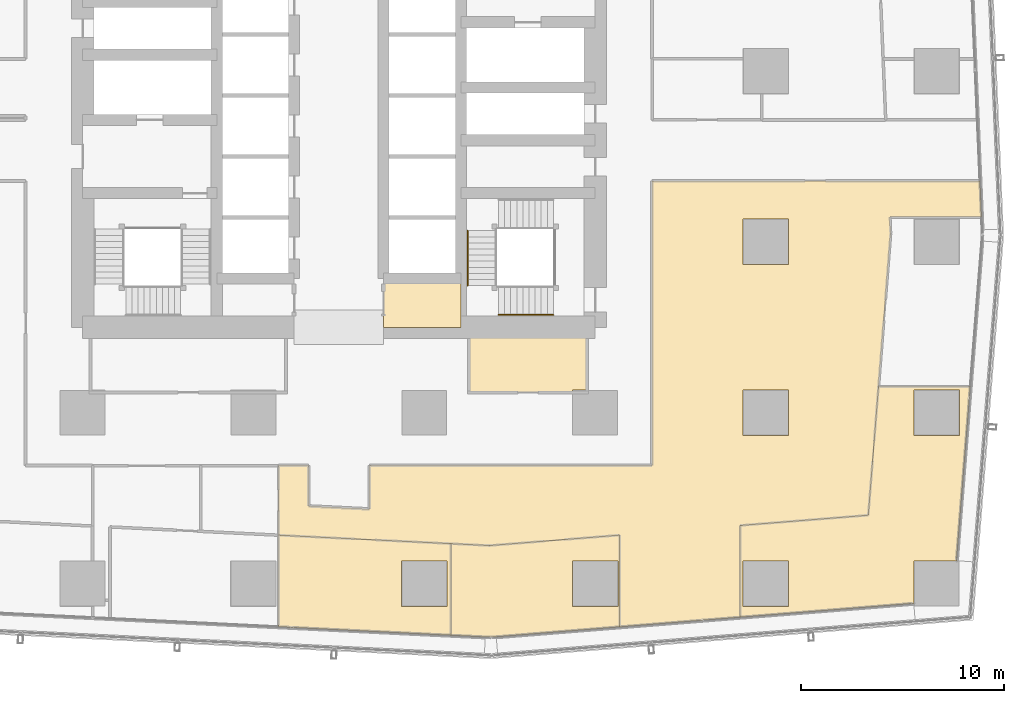
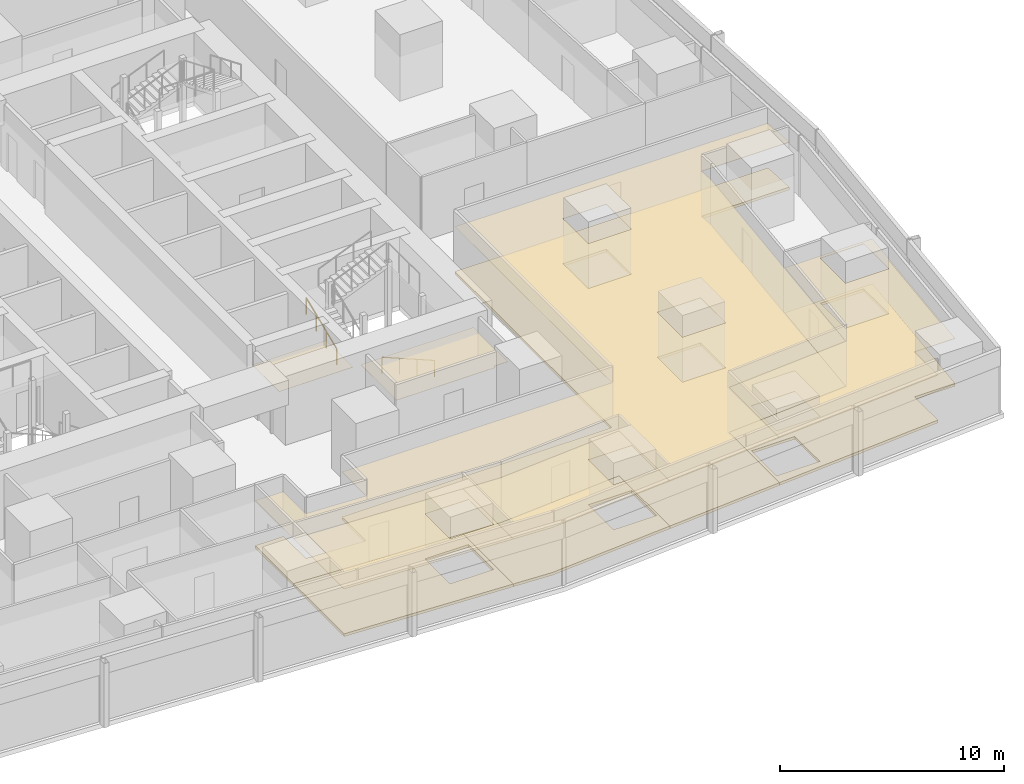
# One storey, part 39 of 45: 10 coverings, 2 railings.
"""IFC4 building model written with IfcOpenShell, lengths in metres."""

from ifc_helpers import new_model, si_unit, direction, frame, origin, origin_2d, place, context, subcontext, project, spatial, polyline, circle, outline, extrude, material, layer, layer_set, type_object, element, save


model = new_model("IFC4")

# Units and contexts
model_context = context("Model", 3, precision=1e-05, world=origin(), true_north=direction((0.0, 1.0)))
body_context = subcontext(model_context, "Body", "Model", "MODEL_VIEW")
ifc_project = project(units=[si_unit("LENGTHUNIT", "METRE"), si_unit("AREAUNIT", "SQUARE_METRE"), si_unit("VOLUMEUNIT", "CUBIC_METRE"), si_unit("PLANEANGLEUNIT", "RADIAN"), si_unit("MASSUNIT", "GRAM", prefix="KILO")], contexts=[model_context])

# Site, building, storey
site_placement = place(None, origin())
site = spatial("IfcSite", under=ifc_project, at=site_placement, CompositionType="ELEMENT")
building_placement = place(site_placement, origin())
building = spatial("IfcBuilding", under=site, at=building_placement, Name="Rekha Terrace Tower", CompositionType="ELEMENT")
storey_placement = place(building_placement, frame((0.0, 0.0, 36.64990234375)))
storey = spatial("IfcBuildingStorey", under=building, at=storey_placement, Name="L08", CompositionType="ELEMENT", Elevation=36.64990234375)

# Coverings
ifc_material_1 = material(Name="Mineral fibre tile in exposed grid", Category="finish")
ifc_layer_1 = layer(ifc_material_1, 0.02001953125)
ifc_layer_set_1 = layer_set([ifc_layer_1], Name="Mineral fibre tile in exposed grid")
covering_type_1 = type_object("IfcCoveringType", Name="CL1 600x1200 office grid ceiling", PredefinedType="CEILING", material=ifc_layer_set_1)
covering_1_placement = place(storey_placement, frame((0.0, 0.0, 2.580078125)))
element("IfcCovering", 1, at=covering_1_placement, inside=storey, type_object=covering_type_1, Name="Ceiling L08-02", PredefinedType="CEILING", context=body_context, shape_type="SweptSolid", body=[
    extrude(outline(polyline([(43.31298828125, 5.85791015625), (43.31298828125, 10.364013671875), (34.841064453125, 10.780029296875), (34.841064453125, 6.27392578125), (43.31298828125, 5.85791015625)]), holes=[polyline([(43.114990234375, 7.284912109375), (40.885009765625, 7.284912109375), (40.885009765625, 9.514892578125), (43.114990234375, 9.514892578125), (43.114990234375, 7.284912109375)])]), origin(), (0.0, 0.0, 1.0), 0.02001953125),
])
covering_2_placement = place(storey_placement, frame((0.0, 0.0, 2.580078125)))
element("IfcCovering", 2, at=covering_2_placement, inside=storey, type_object=covering_type_1, Name="Ceiling L08-03", PredefinedType="CEILING", context=body_context, shape_type="SweptSolid", body=[
    extrude(outline(polyline([(45.201904296875, 10.27099609375), (43.31396484375, 10.364013671875), (43.31396484375, 5.85791015625), (45.27197265625, 5.761962890625), (51.60205078125, 6.26904296875), (51.60205078125, 10.783935546875), (45.201904296875, 10.27099609375)]), holes=[polyline([(51.514892578125, 7.284912109375), (49.284912109375, 7.284912109375), (49.284912109375, 9.514892578125), (51.514892578125, 9.514892578125), (51.514892578125, 7.284912109375)])]), origin(), (0.0, 0.0, 1.0), 0.02001953125),
])
covering_3_placement = place(storey_placement, frame((0.0, 0.0, 2.580078125)))
element("IfcCovering", 3, at=covering_3_placement, inside=storey, type_object=covering_type_1, Name="Ceiling L08-04", PredefinedType="CEILING", context=body_context, shape_type="SweptSolid", body=[
    extrude(outline(polyline([(63.83203125, 11.762939453125), (57.527099609375, 11.258056640625), (57.527099609375, 6.743896484375), (66.0849609375, 7.428955078125), (66.0849609375, 9.514892578125), (68.16796875, 9.514892578125), (68.847900390625, 18.0791015625), (64.333984375, 18.0791015625), (63.83203125, 11.762939453125)]), holes=[polyline([(68.31494140625, 15.68505859375), (66.0849609375, 15.68505859375), (66.0849609375, 17.9150390625), (68.31494140625, 17.9150390625), (68.31494140625, 15.68505859375)]), polyline([(59.9150390625, 7.284912109375), (57.68505859375, 7.284912109375), (57.68505859375, 9.514892578125), (59.9150390625, 9.514892578125), (59.9150390625, 7.284912109375)])]), origin(), (0.0, 0.0, 1.0), 0.02001953125),
])
covering_4_placement = place(storey_placement, frame((0.0, 0.0, 2.580078125)))
element("IfcCovering", 4, at=covering_4_placement, inside=storey, type_object=covering_type_1, Name="Ceiling L08-O1", PredefinedType="CEILING", context=body_context, shape_type="SweptSolid", body=[
    extrude(outline(polyline([(34.840087890625, 14.199951171875), (34.840087890625, 10.780029296875), (43.31396484375, 10.364013671875), (45.201904296875, 10.27099609375), (51.60205078125, 10.783935546875), (51.60205078125, 6.26904296875), (57.527099609375, 6.743896484375), (57.527099609375, 11.258056640625), (63.83203125, 11.762939453125), (64.333984375, 18.080078125), (64.929931640625, 25.60107421875), (64.89501953125, 26.419921875), (69.39892578125, 26.419921875), (69.322998046875, 28.199951171875), (53.199951171875, 28.199951171875), (53.199951171875, 14.199951171875), (39.300048828125, 14.199951171875), (39.300048828125, 12.06201171875), (36.300048828125, 12.2099609375), (36.300048828125, 14.199951171875), (34.840087890625, 14.199951171875)]), holes=[polyline([(59.9150390625, 17.9150390625), (59.9150390625, 15.68505859375), (57.68505859375, 15.68505859375), (57.68505859375, 17.9150390625), (59.9150390625, 17.9150390625)]), polyline([(59.9150390625, 24.0849609375), (57.68505859375, 24.0849609375), (57.68505859375, 26.31494140625), (59.9150390625, 26.31494140625), (59.9150390625, 24.0849609375)])]), origin(), (0.0, 0.0, 1.0), 0.02001953125),
])
ifc_material_2 = material(Name="Fibre cement board", Category="finish")
ifc_layer_2 = layer(ifc_material_2, 0.014892578125)
ifc_layer_set_2 = layer_set([ifc_layer_2], Name="Fibre cement board")
covering_type_2 = type_object("IfcCoveringType", Name="CL2 moisture-resistant board ceiling", PredefinedType="CEILING", material=ifc_layer_set_2)
covering_5_placement = place(storey_placement, frame((0.0, 0.0, 2.585205078125)))
element("IfcCovering", 5, at=covering_5_placement, inside=storey, type_object=covering_type_2, Name="Ceiling L08-WCA", PredefinedType="CEILING", context=body_context, shape_type="SweptSolid", body=[
    extrude(outline(polyline([(43.800048828125, 23.39990234375), (40.0, 23.39990234375), (40.0, 21.0), (43.800048828125, 21.0), (43.800048828125, 23.39990234375)])), origin(), (0.0, 0.0, 1.0), 0.014892578125),
])
covering_6_placement = place(storey_placement, frame((0.0, 0.0, 2.585205078125)))
element("IfcCovering", 6, at=covering_6_placement, inside=storey, type_object=covering_type_2, Name="Ceiling L08-WCM2", PredefinedType="CEILING", context=body_context, shape_type="SweptSolid", body=[
    extrude(outline(polyline([(50.0, 21.0), (44.199951171875, 21.0), (44.199951171875, 17.800048828125), (49.284912109375, 17.800048828125), (49.284912109375, 17.9150390625), (50.0, 17.9150390625), (50.0, 21.0)])), origin(), (0.0, 0.0, 1.0), 0.014892578125),
])

# Railings
ifc_material_3 = material(Name="Stainless steel tube", Category="steel")
railing_type = type_object("IfcRailingType", Name="HR1 900 stair handrail", PredefinedType="HANDRAIL", material=ifc_material_3)
railing_1_placement = place(storey_placement, frame((48.35009765625, 21.610107421875, 0.125)))
element("IfcRailing", 7, at=railing_1_placement, inside=storey, type_object=railing_type, Name="Handrail ST3 L08 flight 1", PredefinedType="HANDRAIL", context=body_context, shape_type="SweptSolid", body=[
    extrude(circle(Radius=0.02392578125, at=origin_2d()), frame((0.0, 0.0, 0.8759765625), z_axis=(-0.923086799901, 0.0, 0.38459167938), x_axis=(0.0, -1.0, 0.0)), (0.0, 0.0, 1.0), 2.92529296875),
    extrude(circle(Radius=0.02099609375, at=origin_2d()), origin(), (0.0, 0.0, 1.0), 0.851806640625),
    extrude(circle(Radius=0.02099609375, at=origin_2d()), frame((-0.900146484375, 0.0, 0.375)), (0.0, 0.0, 1.0), 0.851806640625),
    extrude(circle(Radius=0.02099609375, at=origin_2d()), frame((-1.800048828125, 0.0, 0.75)), (0.0, 0.0, 1.0), 0.851806640625),
    extrude(circle(Radius=0.02099609375, at=origin_2d()), frame((-2.7001953125, 0.0, 1.125)), (0.0, 0.0, 1.0), 0.851806640625),
])
railing_2_placement = place(storey_placement, frame((44.135009765625, 23.050048828125, 1.375)))
element("IfcRailing", 8, at=railing_2_placement, inside=storey, type_object=railing_type, Name="Handrail ST3 L08 flight 2", PredefinedType="HANDRAIL", context=body_context, shape_type="SweptSolid", body=[
    extrude(circle(Radius=0.02392578125, at=origin_2d()), frame((0.0, 0.0, 0.8759765625), z_axis=(0.0, 0.923074453586, 0.384621311341), x_axis=(-1.0, 0.0, 0.0)), (0.0, 0.0, 1.0), 2.925048828125),
    extrude(circle(Radius=0.02099609375, at=origin_2d()), origin(), (0.0, 0.0, 1.0), 0.851806640625),
    extrude(circle(Radius=0.02099609375, at=origin_2d()), frame((0.0, 0.89990234375, 0.375)), (0.0, 0.0, 1.0), 0.851806640625),
    extrude(circle(Radius=0.02099609375, at=origin_2d()), frame((0.0, 1.800048828125, 0.75)), (0.0, 0.0, 1.0), 0.851806640625),
    extrude(circle(Radius=0.02099609375, at=origin_2d()), frame((0.0, 2.699951171875, 1.125)), (0.0, 0.0, 1.0), 0.851806640625),
])

# Coverings
ifc_material_4 = material(Name="Calcium sulphate panels on steel pedestals", Category="steel")
ifc_layer_3 = layer(ifc_material_4, 0.14990234375)
ifc_layer_set_3 = layer_set([ifc_layer_3], Name="Calcium sulphate panels on steel pedestals")
covering_type_3 = type_object("IfcCoveringType", Name="RF1 150 raised access floor", PredefinedType="FLOORING", material=ifc_layer_set_3)
covering_7_placement = place(storey_placement, origin())
element("IfcCovering", 9, at=covering_7_placement, inside=storey, type_object=covering_type_3, Name="Raised floor L08-02", PredefinedType="FLOORING", context=body_context, shape_type="SweptSolid", body=[
    extrude(outline(polyline([(43.31298828125, 5.85791015625), (43.31298828125, 10.364013671875), (34.841064453125, 10.780029296875), (34.841064453125, 6.27392578125), (43.31298828125, 5.85791015625)]), holes=[polyline([(43.114990234375, 7.284912109375), (40.885009765625, 7.284912109375), (40.885009765625, 9.514892578125), (43.114990234375, 9.514892578125), (43.114990234375, 7.284912109375)])]), origin(), (0.0, 0.0, 1.0), 0.150146484375),
])
covering_8_placement = place(storey_placement, origin())
element("IfcCovering", 10, at=covering_8_placement, inside=storey, type_object=covering_type_3, Name="Raised floor L08-03", PredefinedType="FLOORING", context=body_context, shape_type="SweptSolid", body=[
    extrude(outline(polyline([(45.201904296875, 10.27099609375), (43.31396484375, 10.364013671875), (43.31396484375, 5.85791015625), (45.27197265625, 5.761962890625), (51.60205078125, 6.26904296875), (51.60205078125, 10.783935546875), (45.201904296875, 10.27099609375)]), holes=[polyline([(51.514892578125, 7.284912109375), (49.284912109375, 7.284912109375), (49.284912109375, 9.514892578125), (51.514892578125, 9.514892578125), (51.514892578125, 7.284912109375)])]), origin(), (0.0, 0.0, 1.0), 0.150146484375),
])
covering_9_placement = place(storey_placement, origin())
element("IfcCovering", 11, at=covering_9_placement, inside=storey, type_object=covering_type_3, Name="Raised floor L08-04", PredefinedType="FLOORING", context=body_context, shape_type="SweptSolid", body=[
    extrude(outline(polyline([(63.83203125, 11.762939453125), (57.527099609375, 11.258056640625), (57.527099609375, 6.743896484375), (66.0849609375, 7.428955078125), (66.0849609375, 9.514892578125), (68.16796875, 9.514892578125), (68.847900390625, 18.0791015625), (64.333984375, 18.0791015625), (63.83203125, 11.762939453125)]), holes=[polyline([(68.31494140625, 15.68505859375), (66.0849609375, 15.68505859375), (66.0849609375, 17.9150390625), (68.31494140625, 17.9150390625), (68.31494140625, 15.68505859375)]), polyline([(59.9150390625, 7.284912109375), (57.68505859375, 7.284912109375), (57.68505859375, 9.514892578125), (59.9150390625, 9.514892578125), (59.9150390625, 7.284912109375)])]), origin(), (0.0, 0.0, 1.0), 0.150146484375),
])
covering_10_placement = place(storey_placement, origin())
element("IfcCovering", 12, at=covering_10_placement, inside=storey, type_object=covering_type_3, Name="Raised floor L08-O1", PredefinedType="FLOORING", context=body_context, shape_type="SweptSolid", body=[
    extrude(outline(polyline([(34.840087890625, 14.199951171875), (34.840087890625, 10.780029296875), (43.31396484375, 10.364013671875), (45.201904296875, 10.27099609375), (51.60205078125, 10.783935546875), (51.60205078125, 6.26904296875), (57.527099609375, 6.743896484375), (57.527099609375, 11.258056640625), (63.83203125, 11.762939453125), (64.333984375, 18.080078125), (64.929931640625, 25.60107421875), (64.89501953125, 26.419921875), (69.39892578125, 26.419921875), (69.322998046875, 28.199951171875), (53.199951171875, 28.199951171875), (53.199951171875, 14.199951171875), (39.300048828125, 14.199951171875), (39.300048828125, 12.06201171875), (36.300048828125, 12.2099609375), (36.300048828125, 14.199951171875), (34.840087890625, 14.199951171875)]), holes=[polyline([(59.9150390625, 17.9150390625), (59.9150390625, 15.68505859375), (57.68505859375, 15.68505859375), (57.68505859375, 17.9150390625), (59.9150390625, 17.9150390625)]), polyline([(59.9150390625, 24.0849609375), (57.68505859375, 24.0849609375), (57.68505859375, 26.31494140625), (59.9150390625, 26.31494140625), (59.9150390625, 24.0849609375)])]), origin(), (0.0, 0.0, 1.0), 0.150146484375),
])

save(model, "model.ifc")
